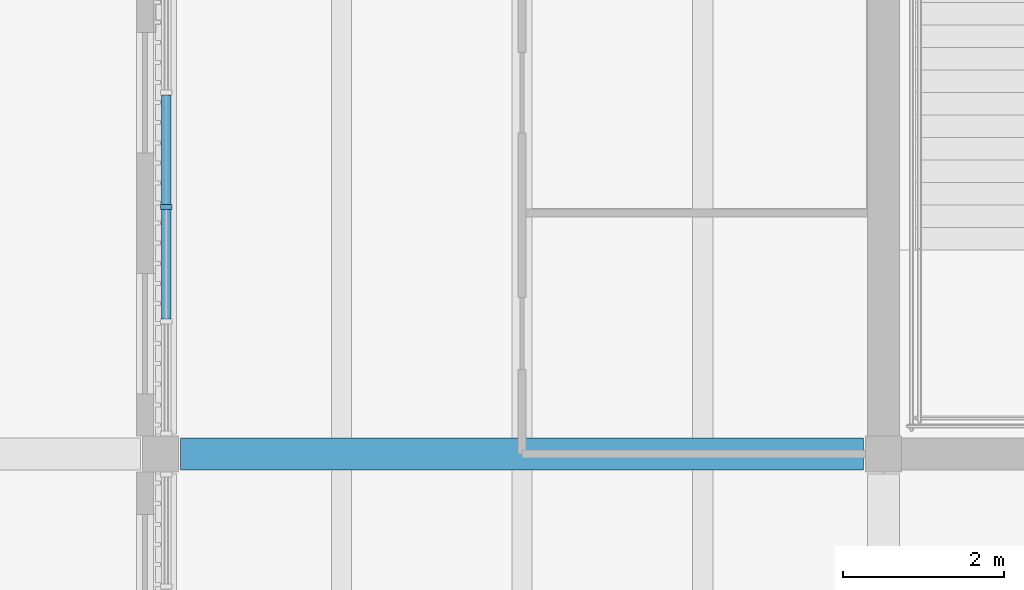
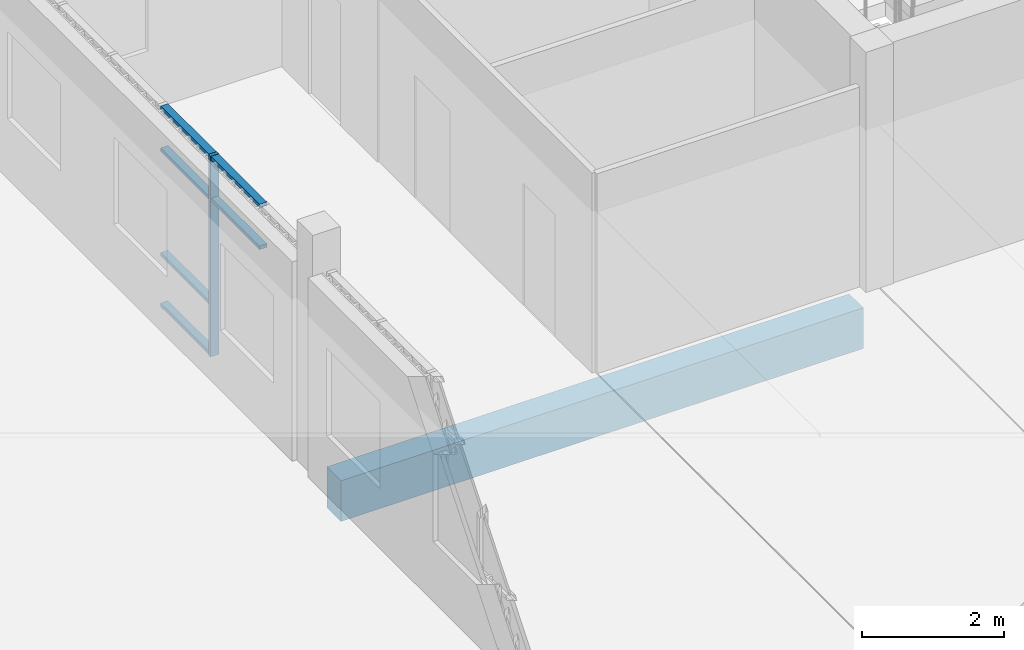
# One storey, part 27 of 88: 7 members, 1 beam, 1 element without a shape of its own.
"""IFC4 building model written with IfcOpenShell, lengths in metres."""

import ifcopenshell
import ifcopenshell.guid

model = None  # the IFC model being written
_history = None  # IfcOwnerHistory: only IFC2X3 demands one
_inside = {}  # id of a spatial element -> (the spatial element, [elements in it])
_under = {}  # id of a project, library or spatial element -> (it, [spatial elements below it])
_declared = {}  # id of a project -> (the project, [libraries it declares])
_typed = {}  # id of a type object -> (the type object, [elements of that type])
_made_of = {}  # id of a material, layer set ... -> (it, [elements and type objects made of it])


def new_model(schema):
    """Start an empty IFC model of exactly this schema.

    Asked for "IFC4X3", IfcOpenShell would pick the latest addendum, in which some entities
    have other attributes; the version numbers below select the first issue.
    IFC2X3 requires an IfcOwnerHistory on every rooted entity: one is made here for all.
    """
    global model, _history
    if schema == "IFC4X3":
        model = ifcopenshell.file(schema_version=(4, 3, 0, 0))
    else:
        model = ifcopenshell.file(schema=schema)
    _inside.clear()
    _under.clear()
    _declared.clear()
    _typed.clear()
    _made_of.clear()
    _history = None
    if model.schema == "IFC2X3":
        org = make("IfcOrganization", Name="unknown")
        user = make(
            "IfcPersonAndOrganization",
            ThePerson=make("IfcPerson", FamilyName="unknown"),
            TheOrganization=org,
        )
        app = make(
            "IfcApplication",
            ApplicationDeveloper=org,
            Version="unknown",
            ApplicationFullName="unknown",
            ApplicationIdentifier="unknown",
        )
        _history = make(
            "IfcOwnerHistory",
            OwningUser=user,
            OwningApplication=app,
            ChangeAction="ADDED",
            CreationDate=0,
        )
    return model


def make(cls, **values):
    """One entity of the class cls with the attributes given. An attribute that is None is left unset."""
    return model.create_entity(
        cls, **{name: value for name, value in values.items() if value is not None}
    )


def rooted(cls, **values):
    """An entity with a GlobalId (a new one), such as an element, a storey or a relation."""
    return make(cls, GlobalId=ifcopenshell.guid.new(), OwnerHistory=_history, **values)


def si_unit(unit_type, name, prefix=None):
    """IfcSIUnit, for example si_unit("LENGTHUNIT", "METRE", prefix="MILLI")."""
    return make("IfcSIUnit", UnitType=unit_type, Prefix=prefix, Name=name)


def assignment(units):
    """IfcUnitAssignment: the units of a project."""
    return None if units is None else make("IfcUnitAssignment", Units=units)


def point(xyz):
    """IfcCartesianPoint."""
    return None if xyz is None else make("IfcCartesianPoint", Coordinates=xyz)


def direction(xyz):
    """IfcDirection."""
    return None if xyz is None else make("IfcDirection", DirectionRatios=xyz)


def frame(location, z_axis=None, x_axis=None):
    """IfcAxis2Placement3D, a coordinate frame: its origin and axes. An axis left out is left unset."""
    return make(
        "IfcAxis2Placement3D",
        Location=point(location),
        Axis=direction(z_axis),
        RefDirection=direction(x_axis),
    )


def frame_2d(location, x_axis=None):
    """IfcAxis2Placement2D, a coordinate frame in the plane: its origin and x axis."""
    return make(
        "IfcAxis2Placement2D", Location=point(location), RefDirection=direction(x_axis)
    )


def origin():
    """The frame at (0, 0, 0) with its axes left unset."""
    return frame((0.0, 0.0, 0.0))


def origin_2d():
    """The frame at (0, 0) in the plane with its x axis left unset."""
    return frame_2d((0.0, 0.0))


def place(relative_to, where):
    """IfcLocalPlacement: puts the frame where relative to a parent placement (None: the world)."""
    return make(
        "IfcLocalPlacement", PlacementRelTo=relative_to, RelativePlacement=where
    )


def context(
    kind, dimensions, precision=None, world=None, true_north=None, identifier=None
):
    """IfcGeometricRepresentationContext, for example the 3D "Model" context."""
    return make(
        "IfcGeometricRepresentationContext",
        ContextIdentifier=identifier,
        ContextType=kind,
        CoordinateSpaceDimension=dimensions,
        Precision=precision,
        WorldCoordinateSystem=world,
        TrueNorth=true_north,
    )


def subcontext(parent, identifier, kind, view, scale=None):
    """IfcGeometricRepresentationSubContext, for example "Body" below "Model"."""
    return make(
        "IfcGeometricRepresentationSubContext",
        ContextIdentifier=identifier,
        ContextType=kind,
        ParentContext=parent,
        TargetScale=scale,
        TargetView=view,
    )


def project(units=None, contexts=None):
    """IfcProject with its units and contexts."""
    return rooted(
        "IfcProject",
        Name="project",
        RepresentationContexts=contexts,
        UnitsInContext=assignment(units),
    )


def spatial(cls, under=None, at=None, **own):
    """A site, building, storey or space (cls), placed at a placement, below another one or the project."""
    s = rooted(cls, ObjectPlacement=at, **own)
    if under is not None:
        _under.setdefault(under.id(), (under, []))[1].append(s)
    return s


def profile(cls, at=None, kind="AREA", **sizes):
    """A parametric profile (cls). Its sizes go by their IFC names, for example OverallWidth=200.0."""
    return make(cls, ProfileType=kind, Position=at, **sizes)


def rectangle(**sizes):
    """IfcRectangleProfileDef."""
    return profile("IfcRectangleProfileDef", **sizes)


def extrude(swept, where, along, depth):
    """IfcExtrudedAreaSolid: the profile swept, set in the frame where, extruded along a direction by depth."""
    return make(
        "IfcExtrudedAreaSolid",
        SweptArea=swept,
        Position=where,
        ExtrudedDirection=direction(along),
        Depth=depth,
    )


def shape(context_of_items, identifier, shape_type, items):
    """IfcShapeRepresentation: the items that make up one representation, for example the "Body"."""
    return make(
        "IfcShapeRepresentation",
        ContextOfItems=context_of_items,
        RepresentationIdentifier=identifier,
        RepresentationType=shape_type,
        Items=items,
    )


def material(Name=None, Category=None):
    """IfcMaterial."""
    return make("IfcMaterial", Name=Name, Category=Category)


def material_profile(
    of_material, cross_section, Name=None, Category=None, Priority=None
):
    """IfcMaterialProfile: a cross section and its material."""
    return make(
        "IfcMaterialProfile",
        Name=Name,
        Material=of_material,
        Profile=cross_section,
        Priority=Priority,
        Category=Category,
    )


def profile_set(profiles, Name=None, composite=None):
    """IfcMaterialProfileSet."""
    return make(
        "IfcMaterialProfileSet",
        Name=Name,
        MaterialProfiles=profiles,
        CompositeProfile=composite,
    )


def made_of(thing, what):
    """Note that an element or type object is made of a material, layer set ...; save() writes the relation."""
    if what is not None:
        _made_of.setdefault(what.id(), (what, []))[1].append(thing)
    return thing


def type_object(cls, material=None, **own):
    """A type object (cls), such as IfcWallType, which elements share."""
    return made_of(rooted(cls, **own), material)


def element(
    cls,
    number,
    at=None,
    inside=None,
    cuts=None,
    type_object=None,
    material=None,
    context=None,
    identifier="Body",
    shape_type=None,
    held_by="IfcProductDefinitionShape",
    body=None,
    shapes=None,
    **own,
):
    """One element of the class cls, such as IfcWall. Its Tag is "e" and its number.

    at: its placement. inside: the storey or other place that contains it. cuts: it is an
    opening in that element (IfcRelVoidsElement). A single representation is given by context,
    identifier, shape_type and body (its items); several are given by shapes. held_by: the class
    of the entity that holds the representations. save() writes the other relations.
    """
    e = rooted(cls, Tag="e%d" % number, ObjectPlacement=at, **own)
    if body is not None:
        shapes = [shape(context, identifier, shape_type, body)]
    if shapes is not None:
        e.Representation = make(held_by, Representations=shapes)
    if inside is not None:
        _inside.setdefault(inside.id(), (inside, []))[1].append(e)
    if cuts is not None:
        rooted(
            "IfcRelVoidsElement", RelatingBuildingElement=cuts, RelatedOpeningElement=e
        )
    if type_object is not None:
        _typed.setdefault(type_object.id(), (type_object, []))[1].append(e)
    return made_of(e, material)


def aggregate(whole, parts):
    """IfcRelAggregates: a whole, such as a stair, and the parts it consists of."""
    return rooted("IfcRelAggregates", RelatingObject=whole, RelatedObjects=parts)


def save(model, path):
    """Write the relations noted so far, then the file.

    IfcRelAggregates (storeys below a building ...), IfcRelContainedInSpatialStructure (elements
    in a storey), IfcRelDefinesByType, IfcRelAssociatesMaterial and IfcRelDeclares: one each for
    every whole, place, type object, material and project.
    """
    for whole, parts in _under.values():
        aggregate(whole, parts)
    for where, things in _inside.values():
        rooted(
            "IfcRelContainedInSpatialStructure",
            RelatedElements=things,
            RelatingStructure=where,
        )
    for kind, things in _typed.values():
        rooted("IfcRelDefinesByType", RelatedObjects=things, RelatingType=kind)
    for what, things in _made_of.values():
        rooted("IfcRelAssociatesMaterial", RelatedObjects=things, RelatingMaterial=what)
    for by, libraries in _declared.values():
        rooted("IfcRelDeclares", RelatingContext=by, RelatedDefinitions=libraries)
    model.write(path)


model = new_model("IFC4")

# Units and contexts
model_context = context("Model", 3, precision=1e-05, world=origin(), true_north=direction((0.0, 1.0)))
body_context = subcontext(model_context, "Body", "Model", "MODEL_VIEW")
ifc_project = project(units=[si_unit("LENGTHUNIT", "METRE"), si_unit("AREAUNIT", "SQUARE_METRE"), si_unit("VOLUMEUNIT", "CUBIC_METRE"), si_unit("PLANEANGLEUNIT", "RADIAN"), si_unit("MASSUNIT", "GRAM", prefix="KILO")], contexts=[model_context])

# Site, building, storey
site_placement = place(None, origin())
site = spatial("IfcSite", under=ifc_project, at=site_placement, CompositionType="ELEMENT")
building_placement = place(site_placement, origin())
building = spatial("IfcBuilding", under=site, at=building_placement, Name="Merrow Basin Faculty of Sciences", CompositionType="ELEMENT")
storey_placement = place(building_placement, frame((0.0, 0.0, 9.0)))
storey = spatial("IfcBuildingStorey", under=building, at=storey_placement, Name="L02", CompositionType="ELEMENT", Elevation=9.0)

# Curtain wall, members
ifc_material_1 = material(Name="Aluminium alloy 6063", Category="aluminium")
curtain_wall_type = type_object("IfcCurtainWallType", Name="Court curtain wall 140", PredefinedType="NOTDEFINED", material=ifc_material_1)
curtain_wall_placement = place(storey_placement, origin())
curtain_wall = element("IfcCurtainWall", 1, at=curtain_wall_placement, inside=storey, type_object=curtain_wall_type, Name="Court curtain wall L02 8", PredefinedType="NOTDEFINED")
ifc_material_2 = material(Name="Aluminium alloy 6063", Category="aluminium")
ifc_material_profile_1 = material_profile(ifc_material_2, rectangle(XDim=0.139892578125, YDim=0.06005859375, at=origin_2d()))
ifc_profile_set_1 = profile_set([ifc_material_profile_1], Name="Aluminium alloy 6063")
member_type_1 = type_object("IfcMemberType", Name="Aluminium mullion 60x140", PredefinedType="MULLION", material=ifc_profile_set_1)
member_1_placement = place(storey_placement, frame((54.070068359375, 127.074951171875, 0.0), z_axis=(0.0, 0.0, 1.0), x_axis=(-1.0, 0.0, 0.0)))
member_1 = element("IfcMember", 2, at=member_1_placement, type_object=member_type_1, Name="CW8 mullion 3", PredefinedType="MULLION", context=body_context, shape_type="SweptSolid", body=[
    extrude(rectangle(XDim=0.139892578125, YDim=0.06005859375, at=origin_2d()), origin(), (0.0, 0.0, 1.0), 3.449951171875),
])
ifc_material_3 = material(Name="Aluminium alloy 6063", Category="aluminium")
ifc_material_profile_2 = material_profile(ifc_material_3, rectangle(XDim=0.1201171875, YDim=0.06005859375, at=origin_2d()))
ifc_profile_set_2 = profile_set([ifc_material_profile_2], Name="Aluminium alloy 6063")
member_type_2 = type_object("IfcMemberType", Name="Aluminium transom 60x120", PredefinedType="USERDEFINED", material=ifc_profile_set_2)
member_2_placement = place(storey_placement, frame((54.070068359375, 125.679931640625, 2.699951171875), z_axis=(0.0, 1.0, 0.0), x_axis=(-1.0, 0.0, 0.0)))
member_2 = element("IfcMember", 3, at=member_2_placement, type_object=member_type_2, Name="CW8 transom 2.3", ObjectType="TRANSOM", PredefinedType="USERDEFINED", context=body_context, shape_type="SweptSolid", body=[
    extrude(rectangle(XDim=0.1201171875, YDim=0.06005859375, at=origin_2d()), origin(), (0.0, 0.0, 1.0), 1.364990234375),
])
member_3_placement = place(storey_placement, frame((54.070068359375, 125.679931640625, 3.419921875), z_axis=(0.0, 1.0, 0.0), x_axis=(-1.0, 0.0, 0.0)))
member_3 = element("IfcMember", 4, at=member_3_placement, type_object=member_type_2, Name="CW8 transom 2.4", ObjectType="TRANSOM", PredefinedType="USERDEFINED", context=body_context, shape_type="SweptSolid", body=[
    extrude(rectangle(XDim=0.1201171875, YDim=0.06005859375, at=origin_2d()), origin(), (0.0, 0.0, 1.0), 1.364990234375),
])
member_4_placement = place(storey_placement, frame((54.070068359375, 127.10498046875, 0.030029296875), z_axis=(0.0, 1.0, 0.0), x_axis=(-1.0, 0.0, 0.0)))
member_4 = element("IfcMember", 5, at=member_4_placement, type_object=member_type_2, Name="CW8 transom 3.1", ObjectType="TRANSOM", PredefinedType="USERDEFINED", context=body_context, shape_type="SweptSolid", body=[
    extrude(rectangle(XDim=0.1201171875, YDim=0.06005859375, at=origin_2d()), origin(), (0.0, 0.0, 1.0), 1.364990234375),
])
member_5_placement = place(storey_placement, frame((54.070068359375, 127.10498046875, 0.89990234375), z_axis=(0.0, 1.0, 0.0), x_axis=(-1.0, 0.0, 0.0)))
member_5 = element("IfcMember", 6, at=member_5_placement, type_object=member_type_2, Name="CW8 transom 3.2", ObjectType="TRANSOM", PredefinedType="USERDEFINED", context=body_context, shape_type="SweptSolid", body=[
    extrude(rectangle(XDim=0.1201171875, YDim=0.06005859375, at=origin_2d()), origin(), (0.0, 0.0, 1.0), 1.364990234375),
])
member_6_placement = place(storey_placement, frame((54.070068359375, 127.10498046875, 2.699951171875), z_axis=(0.0, 1.0, 0.0), x_axis=(-1.0, 0.0, 0.0)))
member_6 = element("IfcMember", 7, at=member_6_placement, type_object=member_type_2, Name="CW8 transom 3.3", ObjectType="TRANSOM", PredefinedType="USERDEFINED", context=body_context, shape_type="SweptSolid", body=[
    extrude(rectangle(XDim=0.1201171875, YDim=0.06005859375, at=origin_2d()), origin(), (0.0, 0.0, 1.0), 1.364990234375),
])
member_7_placement = place(storey_placement, frame((54.070068359375, 127.10498046875, 3.419921875), z_axis=(0.0, 1.0, 0.0), x_axis=(-1.0, 0.0, 0.0)))
member_7 = element("IfcMember", 8, at=member_7_placement, type_object=member_type_2, Name="CW8 transom 3.4", ObjectType="TRANSOM", PredefinedType="USERDEFINED", context=body_context, shape_type="SweptSolid", body=[
    extrude(rectangle(XDim=0.1201171875, YDim=0.06005859375, at=origin_2d()), origin(), (0.0, 0.0, 1.0), 1.364990234375),
])
aggregate(curtain_wall, [member_1, member_2, member_3, member_4, member_5, member_6, member_7])

# Beam
ifc_material_4 = material(Name="Concrete C40/50", Category="concrete")
ifc_material_profile_3 = material_profile(ifc_material_4, rectangle(XDim=0.39990234375, YDim=0.699951171875, at=origin_2d()))
ifc_profile_set_3 = profile_set([ifc_material_profile_3], Name="Concrete C40/50")
beam_type = type_object("IfcBeamType", Name="Beam RC400x700 C40/50", PredefinedType="BEAM", material=ifc_profile_set_3)
beam_placement = place(storey_placement, frame((54.25, 124.0, -0.60009765625), z_axis=(1.0, 0.0, 0.0), x_axis=(0.0, 1.0, 0.0)))
element("IfcBeam", 9, at=beam_placement, inside=storey, type_object=beam_type, Name="B3 L02 016", PredefinedType="BEAM", context=body_context, shape_type="SweptSolid", body=[
    extrude(rectangle(XDim=0.39990234375, YDim=0.699951171875, at=origin_2d()), origin(), (0.0, 0.0, 1.0), 8.5),
])

save(model, "model.ifc")
